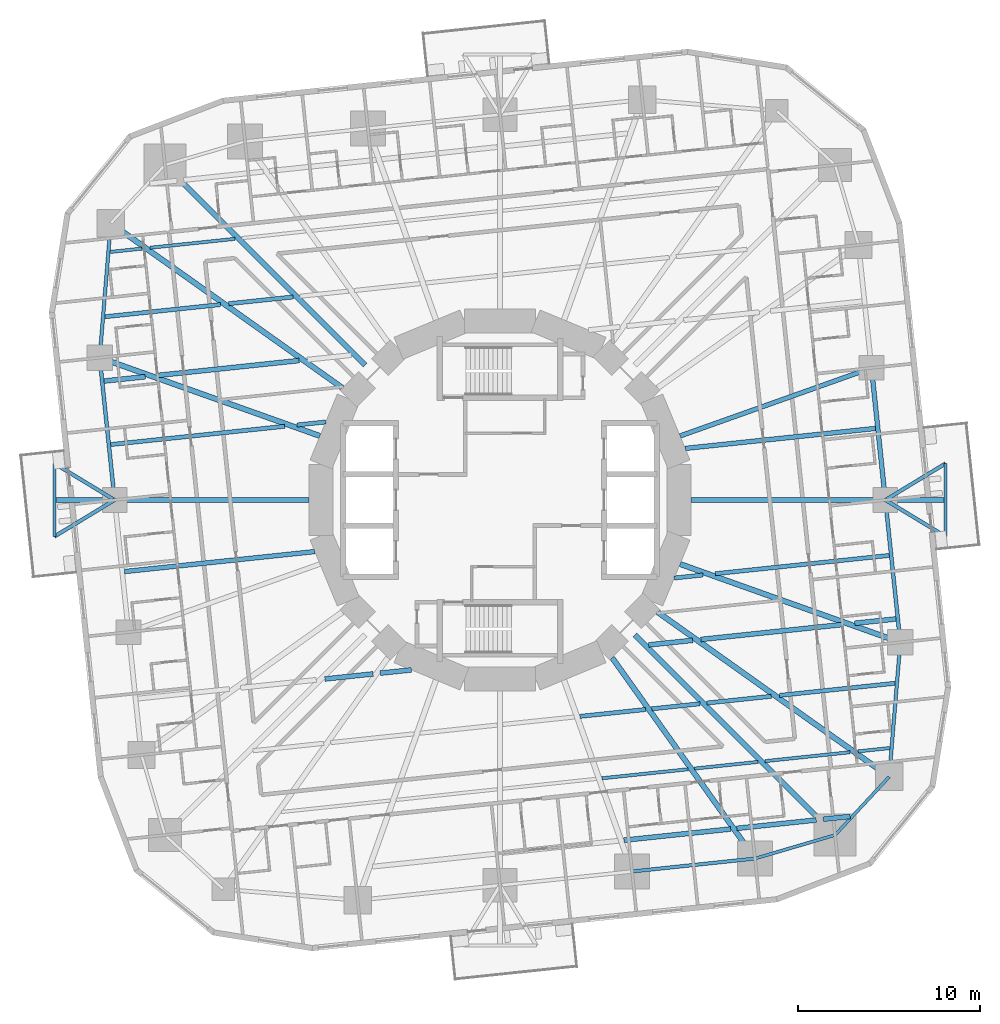
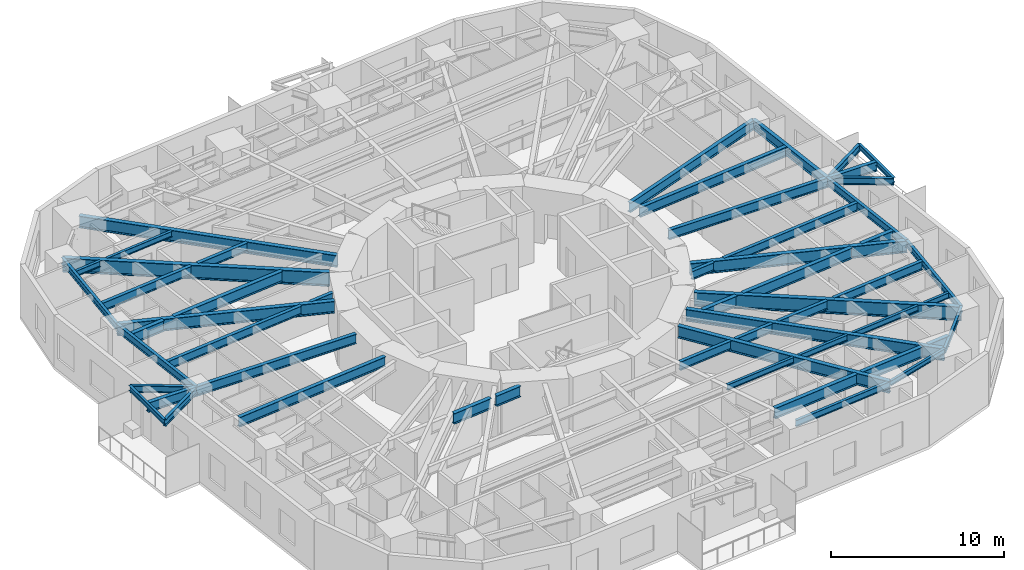
# One storey, part 2 of 15: 52 beams.
"""IFC4 building model written with IfcOpenShell, lengths in metres."""

from ifc_helpers import new_model, si_unit, direction, frame, origin, origin_2d, place, context, subcontext, project, spatial, i_section, extrude, material, material_profile, profile_set, type_object, element, save


model = new_model("IFC4")

# Units and contexts
model_context = context("Model", 3, precision=1e-05, world=origin(), true_north=direction((0.0, 1.0)))
body_context = subcontext(model_context, "Body", "Model", "MODEL_VIEW")
ifc_project = project(units=[si_unit("LENGTHUNIT", "METRE"), si_unit("AREAUNIT", "SQUARE_METRE"), si_unit("VOLUMEUNIT", "CUBIC_METRE"), si_unit("PLANEANGLEUNIT", "RADIAN"), si_unit("MASSUNIT", "GRAM", prefix="KILO")], contexts=[model_context])

# Site, building, storey
site_placement = place(None, origin())
site = spatial("IfcSite", under=ifc_project, at=site_placement, CompositionType="ELEMENT")
building_placement = place(site_placement, origin())
building = spatial("IfcBuilding", under=site, at=building_placement, Name="Nakasero Lantern House", CompositionType="ELEMENT")
storey_placement = place(building_placement, frame((0.0, 0.0, 64.35009765625)))
storey = spatial("IfcBuildingStorey", under=building, at=storey_placement, Name="L15", CompositionType="ELEMENT", Elevation=64.35009765625)

# Beams
ifc_material_1 = material(Name="Steel S355", Category="steel")
ifc_material_profile_1 = material_profile(ifc_material_1, i_section(OverallWidth=0.199462890625, OverallDepth=0.491943359375, WebThickness=0.01806640625, FlangeThickness=0.031982421875, FilletRadius=0.01025390625, at=origin_2d()), Name="UB 457x191x161")
ifc_profile_set_1 = profile_set([ifc_material_profile_1], Name="Steel S355")
beam_type_1 = type_object("IfcBeamType", Name="Balcony splay beam UB 457x191x161", PredefinedType="BEAM", material=ifc_profile_set_1)
for number, where, z_axis, x_axis, name in (
    (1, (21.11572265625, 0.0, 3.40380859375), (0.855201230787, 0.518296107317, 0.0), (-0.518296107317, 0.855201230787, 0.0), "Balcony splay beam L16 B2-C03A"),
    (2, (21.11572265625, 0.0, 3.40380859375), (0.855201230787, -0.518296107317, 0.0), (0.518296107317, 0.855201230787, 0.0), "Balcony splay beam L16 B2-C03B"),
    (3, (-21.11572265625, 0.0, 3.40380859375), (-0.855201230787, -0.518296107317, 0.0), (0.518296107317, -0.855201230787, 0.0), "Balcony splay beam L16 B2-C15A"),
    (4, (-21.11572265625, 0.0, 3.40380859375), (-0.855201230787, 0.518296107317, 0.0), (-0.518296107317, -0.855201230787, 0.0), "Balcony splay beam L16 B2-C15B"),
):
    element("IfcBeam", number, at=place(storey_placement, frame(where, z_axis=z_axis, x_axis=x_axis)), inside=storey, type_object=beam_type_1, Name=name, PredefinedType="BEAM", context=body_context, shape_type="SweptSolid", body=[
        extrude(i_section(OverallWidth=0.199462890625, OverallDepth=0.491943359375, WebThickness=0.01806640625, FlangeThickness=0.031982421875, FilletRadius=0.01025390625, at=origin_2d()), origin(), (0.0, 0.0, 1.0), 3.85888671875),
    ])
ifc_material_2 = material(Name="Steel S355", Category="steel")
ifc_material_profile_2 = material_profile(ifc_material_2, i_section(OverallWidth=0.17138671875, OverallDepth=0.35498046875, WebThickness=0.00732421875, FlangeThickness=0.011474609375, FilletRadius=0.01025390625, at=origin_2d()), Name="UB 356x171x51")
ifc_profile_set_2 = profile_set([ifc_material_profile_2], Name="Steel S355")
beam_type_2 = type_object("IfcBeamType", Name="Balcony tie beam UB 356x171x51", PredefinedType="BEAM", material=ifc_profile_set_2)
for number, where, z_axis, x_axis, name in (
    (5, (24.415771484375, 2.0, 3.472412109375), (0.0, -1.0, 0.0), (1.0, 0.0, 0.0), "Balcony tie beam L16 B2-C03"),
    (6, (-24.415771484375, -2.0, 3.472412109375), (0.0, 1.0, 0.0), (-1.0, 0.0, 0.0), "Balcony tie beam L16 B2-C15"),
):
    element("IfcBeam", number, at=place(storey_placement, frame(where, z_axis=z_axis, x_axis=x_axis)), inside=storey, type_object=beam_type_2, Name=name, PredefinedType="BEAM", context=body_context, shape_type="SweptSolid", body=[
        extrude(i_section(OverallWidth=0.17138671875, OverallDepth=0.35498046875, WebThickness=0.00732421875, FlangeThickness=0.011474609375, FilletRadius=0.01025390625, at=origin_2d()), origin(), (0.0, 0.0, 1.0), 4.0),
    ])
ifc_material_3 = material(Name="Steel S355", Category="steel")
ifc_material_profile_3 = material_profile(ifc_material_3, i_section(OverallWidth=0.177978515625, OverallDepth=0.406494140625, WebThickness=0.0078125, FlangeThickness=0.0126953125, FilletRadius=0.01025390625, at=origin_2d()), Name="UB 406x178x60")
ifc_profile_set_3 = profile_set([ifc_material_profile_3], Name="Steel S355")
beam_type_3 = type_object("IfcBeamType", Name="Infill beam UB 406x178x60", PredefinedType="JOIST", material=ifc_profile_set_3)
beam_1_placement = place(storey_placement, frame((5.58154296875, -15.25, 3.44677734375), z_axis=(0.994523439889, 0.104513767091, 0.0), x_axis=(-0.104513767091, 0.994523439889, 0.0)))
element("IfcBeam", 7, at=beam_1_placement, inside=storey, type_object=beam_type_3, Name="Infill beam L16 03.4", PredefinedType="JOIST", context=body_context, shape_type="SweptSolid", body=[
    extrude(i_section(OverallWidth=0.177978515625, OverallDepth=0.406494140625, WebThickness=0.0078125, FlangeThickness=0.0126953125, FilletRadius=0.01025390625, at=origin_2d()), origin(), (0.0, 0.0, 1.0), 4.756103515625),
])
beam_2_placement = place(storey_placement, frame((10.6455078125, -14.7177734375, 3.44677734375), z_axis=(0.994521415391, 0.104533029842, 0.0), x_axis=(-0.104533029842, 0.994521415391, 0.0)))
element("IfcBeam", 8, at=beam_2_placement, inside=storey, type_object=beam_type_3, Name="Infill beam L16 03.5", PredefinedType="JOIST", context=body_context, shape_type="SweptSolid", body=[
    extrude(i_section(OverallWidth=0.177978515625, OverallDepth=0.406494140625, WebThickness=0.0078125, FlangeThickness=0.0126953125, FilletRadius=0.01025390625, at=origin_2d()), origin(), (0.0, 0.0, 1.0), 3.517333984375),
])
beam_3_placement = place(storey_placement, frame((14.517578125, -14.310791015625, 3.44677734375), z_axis=(0.994522000641, 0.104527461662, 0.0), x_axis=(-0.104527461662, 0.994522000641, 0.0)))
element("IfcBeam", 9, at=beam_3_placement, inside=storey, type_object=beam_type_3, Name="Infill beam L16 03.6", PredefinedType="JOIST", context=body_context, shape_type="SweptSolid", body=[
    extrude(i_section(OverallWidth=0.177978515625, OverallDepth=0.406494140625, WebThickness=0.0078125, FlangeThickness=0.0126953125, FilletRadius=0.01025390625, at=origin_2d()), origin(), (0.0, 0.0, 1.0), 4.685302734375),
])
for number, where, z_axis, x_axis, name in (
    (10, (19.628173828125, -13.773681640625, 3.44677734375), (0.994526919783, 0.1044806481, 0.0), (-0.1044806481, 0.994526919783, 0.0), "Infill beam L16 03.7"),
    (11, (-21.36181640625, 13.591552734375, 3.44677734375), (0.994526919783, 0.1044806481, 0.0), (-0.1044806481, 0.994526919783, 0.0), "Infill beam L16 12.1"),
):
    element("IfcBeam", number, at=place(storey_placement, frame(where, z_axis=z_axis, x_axis=x_axis)), inside=storey, type_object=beam_type_3, Name=name, PredefinedType="JOIST", context=body_context, shape_type="SweptSolid", body=[
        extrude(i_section(OverallWidth=0.177978515625, OverallDepth=0.406494140625, WebThickness=0.0078125, FlangeThickness=0.0126953125, FilletRadius=0.01025390625, at=origin_2d()), origin(), (0.0, 0.0, 1.0), 1.7431640625),
    ])
beam_4_placement = place(storey_placement, frame((-19.17724609375, 13.821044921875, 3.44677734375), z_axis=(0.994522000641, 0.104527461662, 0.0), x_axis=(-0.104527461662, 0.994522000641, 0.0)))
element("IfcBeam", 12, at=beam_4_placement, inside=storey, type_object=beam_type_3, Name="Infill beam L16 12.2", PredefinedType="JOIST", context=body_context, shape_type="SweptSolid", body=[
    extrude(i_section(OverallWidth=0.177978515625, OverallDepth=0.406494140625, WebThickness=0.0078125, FlangeThickness=0.0126953125, FilletRadius=0.01025390625, at=origin_2d()), origin(), (0.0, 0.0, 1.0), 4.685302734375),
])
ifc_material_4 = material(Name="Steel S355", Category="steel")
ifc_material_profile_4 = material_profile(ifc_material_4, i_section(OverallWidth=0.2275390625, OverallDepth=0.6025390625, WebThickness=0.010498046875, FlangeThickness=0.014892578125, FilletRadius=0.0126953125, at=origin_2d()), Name="UB 610x229x101")
ifc_profile_set_4 = profile_set([ifc_material_profile_4], Name="Steel S355")
beam_type_4 = type_object("IfcBeamType", Name="Infill beam UB 610x229x101", PredefinedType="JOIST", material=ifc_profile_set_4)
beam_5_placement = place(storey_placement, frame((9.548583984375, -4.275390625, 3.3486328125), z_axis=(0.99451559139, 0.104588424223, 0.0), x_axis=(-0.104588424223, 0.99451559139, 0.0)))
element("IfcBeam", 13, at=beam_5_placement, inside=storey, type_object=beam_type_4, Name="Infill beam L16 06.1", PredefinedType="JOIST", context=body_context, shape_type="SweptSolid", body=[
    extrude(i_section(OverallWidth=0.2275390625, OverallDepth=0.6025390625, WebThickness=0.010498046875, FlangeThickness=0.014892578125, FilletRadius=0.0126953125, at=origin_2d()), origin(), (0.0, 0.0, 1.0), 1.582763671875),
])
for number, where, z_axis, x_axis, name in (
    (14, (11.79638671875, -4.0390625, 3.3486328125), (0.994521908804, 0.104528335435, 0.0), (-0.104528335435, 0.994521908804, 0.0), "Infill beam L16 06.2"),
    (15, (-21.329345703125, 3.037109375, 3.3486328125), (0.994521908804, 0.104528335435, 0.0), (-0.104528335435, 0.994521908804, 0.0), "Infill beam L16 09.1"),
):
    element("IfcBeam", number, at=place(storey_placement, frame(where, z_axis=z_axis, x_axis=x_axis)), inside=storey, type_object=beam_type_4, Name=name, PredefinedType="JOIST", context=body_context, shape_type="SweptSolid", body=[
        extrude(i_section(OverallWidth=0.2275390625, OverallDepth=0.6025390625, WebThickness=0.010498046875, FlangeThickness=0.014892578125, FilletRadius=0.0126953125, at=origin_2d()), origin(), (0.0, 0.0, 1.0), 9.58544921875),
    ])
beam_6_placement = place(storey_placement, frame((-11.12255859375, 4.10986328125, 3.3486328125), z_axis=(0.99451559139, 0.104588424223, 0.0), x_axis=(-0.104588424223, 0.99451559139, 0.0)))
element("IfcBeam", 16, at=beam_6_placement, inside=storey, type_object=beam_type_4, Name="Infill beam L16 09.2", PredefinedType="JOIST", context=body_context, shape_type="SweptSolid", body=[
    extrude(i_section(OverallWidth=0.2275390625, OverallDepth=0.6025390625, WebThickness=0.010498046875, FlangeThickness=0.014892578125, FilletRadius=0.0126953125, at=origin_2d()), origin(), (0.0, 0.0, 1.0), 1.582763671875),
])
ifc_material_5 = material(Name="Steel S355", Category="steel")
ifc_material_profile_5 = material_profile(ifc_material_5, i_section(OverallWidth=0.22900390625, OverallDepth=0.6123046875, WebThickness=0.011962890625, FlangeThickness=0.01953125, FilletRadius=0.0126953125, at=origin_2d()), Name="UB 610x229x125")
ifc_profile_set_5 = profile_set([ifc_material_profile_5], Name="Steel S355")
beam_type_5 = type_object("IfcBeamType", Name="Infill beam UB 610x229x125", PredefinedType="JOIST", material=ifc_profile_set_5)
beam_7_placement = place(storey_placement, frame((4.375244140625, -11.857666015625, 3.34375), z_axis=(0.994523507044, 0.104513128058, 0.0), x_axis=(-0.104513128058, 0.994523507044, 0.0)))
element("IfcBeam", 17, at=beam_7_placement, inside=storey, type_object=beam_type_5, Name="Infill beam L16 04.5", PredefinedType="JOIST", context=body_context, shape_type="SweptSolid", body=[
    extrude(i_section(OverallWidth=0.22900390625, OverallDepth=0.6123046875, WebThickness=0.011962890625, FlangeThickness=0.01953125, FilletRadius=0.0126953125, at=origin_2d()), origin(), (0.0, 0.0, 1.0), 3.627685546875),
])
beam_8_placement = place(storey_placement, frame((8.31689453125, -11.443359375, 3.34375), z_axis=(0.994526079282, 0.104488648322, 0.0), x_axis=(-0.104488648322, 0.994526079282, 0.0)))
element("IfcBeam", 18, at=beam_8_placement, inside=storey, type_object=beam_type_5, Name="Infill beam L16 04.6", PredefinedType="JOIST", context=body_context, shape_type="SweptSolid", body=[
    extrude(i_section(OverallWidth=0.22900390625, OverallDepth=0.6123046875, WebThickness=0.011962890625, FlangeThickness=0.01953125, FilletRadius=0.0126953125, at=origin_2d()), origin(), (0.0, 0.0, 1.0), 2.65673828125),
])
beam_9_placement = place(storey_placement, frame((11.3330078125, -11.126220703125, 3.34375), z_axis=(0.99452727583, 0.104477258916, 0.0), x_axis=(-0.104477258916, 0.99452727583, 0.0)))
element("IfcBeam", 19, at=beam_9_placement, inside=storey, type_object=beam_type_5, Name="Infill beam L16 04.7", PredefinedType="JOIST", context=body_context, shape_type="SweptSolid", body=[
    extrude(i_section(OverallWidth=0.22900390625, OverallDepth=0.6123046875, WebThickness=0.011962890625, FlangeThickness=0.01953125, FilletRadius=0.0126953125, at=origin_2d()), origin(), (0.0, 0.0, 1.0), 3.552001953125),
])
for number, where, z_axis, x_axis, name in (
    (20, (15.31640625, -10.707763671875, 3.34375), (0.994520346325, 0.104543200382, 0.0), (-0.104543200382, 0.994520346325, 0.0), "Infill beam L16 04.8"),
    (21, (-21.654541015625, 10.04150390625, 3.34375), (0.994520346325, 0.104543200382, 0.0), (-0.104543200382, 0.994520346325, 0.0), "Infill beam L16 11.1"),
):
    element("IfcBeam", number, at=place(storey_placement, frame(where, z_axis=z_axis, x_axis=x_axis)), inside=storey, type_object=beam_type_5, Name=name, PredefinedType="JOIST", context=body_context, shape_type="SweptSolid", body=[
        extrude(i_section(OverallWidth=0.22900390625, OverallDepth=0.6123046875, WebThickness=0.011962890625, FlangeThickness=0.01953125, FilletRadius=0.0126953125, at=origin_2d()), origin(), (0.0, 0.0, 1.0), 6.373046875),
    ])
beam_10_placement = place(storey_placement, frame((-14.865478515625, 10.755126953125, 3.34375), z_axis=(0.99452727583, 0.104477258916, 0.0), x_axis=(-0.104477258916, 0.99452727583, 0.0)))
element("IfcBeam", 22, at=beam_10_placement, inside=storey, type_object=beam_type_5, Name="Infill beam L16 11.2", PredefinedType="JOIST", context=body_context, shape_type="SweptSolid", body=[
    extrude(i_section(OverallWidth=0.22900390625, OverallDepth=0.6123046875, WebThickness=0.011962890625, FlangeThickness=0.01953125, FilletRadius=0.0126953125, at=origin_2d()), origin(), (0.0, 0.0, 1.0), 3.552001953125),
])
ifc_material_6 = material(Name="Steel S355", Category="steel")
ifc_material_profile_6 = material_profile(ifc_material_6, i_section(OverallWidth=0.255859375, OverallDepth=0.69287109375, WebThickness=0.014404296875, FlangeThickness=0.023681640625, FilletRadius=0.01513671875, at=origin_2d()), Name="UB 686x254x170")
ifc_profile_set_6 = profile_set([ifc_material_profile_6], Name="Steel S355")
beam_type_6 = type_object("IfcBeamType", Name="Infill beam UB 686x254x170", PredefinedType="JOIST", material=ifc_profile_set_6)
for number, where, z_axis, x_axis, name in (
    (23, (-20.575927734375, -3.92236328125, 3.303466796875), (0.994521899939, 0.104528419781, 0.0), (-0.104528419781, 0.994521899939, 0.0), "Infill beam L16 07.1"),
    (24, (10.148681640625, 2.826416015625, 3.303466796875), (0.994521899939, 0.104528419781, 0.0), (-0.104528419781, 0.994521899939, 0.0), "Infill beam L16 08.1"),
):
    element("IfcBeam", number, at=place(storey_placement, frame(where, z_axis=z_axis, x_axis=x_axis)), inside=storey, type_object=beam_type_6, Name=name, PredefinedType="JOIST", context=body_context, shape_type="SweptSolid", body=[
        extrude(i_section(OverallWidth=0.255859375, OverallDepth=0.69287109375, WebThickness=0.014404296875, FlangeThickness=0.023681640625, FilletRadius=0.01513671875, at=origin_2d()), origin(), (0.0, 0.0, 1.0), 10.484619140625),
    ])
ifc_material_7 = material(Name="Steel S355", Category="steel")
ifc_material_profile_7 = material_profile(ifc_material_7, i_section(OverallWidth=0.2666015625, OverallDepth=0.76220703125, WebThickness=0.014404296875, FlangeThickness=0.021484375, FilletRadius=0.0166015625, at=origin_2d()), Name="UB 762x267x173")
ifc_profile_set_7 = profile_set([ifc_material_profile_7], Name="Steel S355")
beam_type_7 = type_object("IfcBeamType", Name="Infill beam UB 762x267x173", PredefinedType="JOIST", material=ifc_profile_set_7)
beam_11_placement = place(storey_placement, frame((6.78759765625, -18.642578125, 3.268798828125), z_axis=(0.994524304789, 0.104505536616, 0.0), x_axis=(-0.104505536616, 0.994524304789, 0.0)))
element("IfcBeam", 25, at=beam_11_placement, inside=storey, type_object=beam_type_7, Name="Infill beam L16 02.3", PredefinedType="JOIST", context=body_context, shape_type="SweptSolid", body=[
    extrude(i_section(OverallWidth=0.2666015625, OverallDepth=0.76220703125, WebThickness=0.014404296875, FlangeThickness=0.021484375, FilletRadius=0.0166015625, at=origin_2d()), origin(), (0.0, 0.0, 1.0), 5.884765625),
])
beam_12_placement = place(storey_placement, frame((12.97412109375, -17.992431640625, 3.268798828125), z_axis=(0.994518584312, 0.104559961062, 0.0), x_axis=(-0.104559961062, 0.994518584312, 0.0)))
element("IfcBeam", 26, at=beam_12_placement, inside=storey, type_object=beam_type_7, Name="Infill beam L16 02.4", PredefinedType="JOIST", context=body_context, shape_type="SweptSolid", body=[
    extrude(i_section(OverallWidth=0.2666015625, OverallDepth=0.76220703125, WebThickness=0.014404296875, FlangeThickness=0.021484375, FilletRadius=0.0166015625, at=origin_2d()), origin(), (0.0, 0.0, 1.0), 4.3779296875),
])
beam_13_placement = place(storey_placement, frame((17.7021484375, -17.495361328125, 3.268798828125), z_axis=(0.994535800288, 0.104396082038, 0.0), x_axis=(-0.104396082038, 0.994535800288, 0.0)))
element("IfcBeam", 27, at=beam_13_placement, inside=storey, type_object=beam_type_7, Name="Infill beam L16 02.5", PredefinedType="JOIST", context=body_context, shape_type="SweptSolid", body=[
    extrude(i_section(OverallWidth=0.2666015625, OverallDepth=0.76220703125, WebThickness=0.014404296875, FlangeThickness=0.021484375, FilletRadius=0.0166015625, at=origin_2d()), origin(), (0.0, 0.0, 1.0), 1.49658203125),
])
beam_14_placement = place(storey_placement, frame((-9.594482421875, -9.806640625, 3.268798828125), z_axis=(0.994521575627, 0.104531505358, 0.0), x_axis=(-0.104531505358, 0.994521575627, 0.0)))
element("IfcBeam", 28, at=beam_14_placement, inside=storey, type_object=beam_type_7, Name="Infill beam L16 05.3", PredefinedType="JOIST", context=body_context, shape_type="SweptSolid", body=[
    extrude(i_section(OverallWidth=0.2666015625, OverallDepth=0.76220703125, WebThickness=0.014404296875, FlangeThickness=0.021484375, FilletRadius=0.0166015625, at=origin_2d()), origin(), (0.0, 0.0, 1.0), 2.6533203125),
])
beam_15_placement = place(storey_placement, frame((-6.568115234375, -9.488525390625, 3.268798828125), z_axis=(0.994529501552, 0.104456069922, 0.0), x_axis=(-0.104456069922, 0.994529501552, 0.0)))
element("IfcBeam", 29, at=beam_15_placement, inside=storey, type_object=beam_type_7, Name="Infill beam L16 05.4", PredefinedType="JOIST", context=body_context, shape_type="SweptSolid", body=[
    extrude(i_section(OverallWidth=0.2666015625, OverallDepth=0.76220703125, WebThickness=0.014404296875, FlangeThickness=0.021484375, FilletRadius=0.0166015625, at=origin_2d()), origin(), (0.0, 0.0, 1.0), 1.72265625),
])
beam_16_placement = place(storey_placement, frame((8.1484375, -7.941650390625, 3.268798828125), z_axis=(0.99452700398, 0.104479846642, 0.0), x_axis=(-0.104479846642, 0.99452700398, 0.0)))
element("IfcBeam", 30, at=beam_16_placement, inside=storey, type_object=beam_type_7, Name="Infill beam L16 05.5", PredefinedType="JOIST", context=body_context, shape_type="SweptSolid", body=[
    extrude(i_section(OverallWidth=0.2666015625, OverallDepth=0.76220703125, WebThickness=0.014404296875, FlangeThickness=0.021484375, FilletRadius=0.0166015625, at=origin_2d()), origin(), (0.0, 0.0, 1.0), 2.41845703125),
])
beam_17_placement = place(storey_placement, frame((11.0048828125, -7.6416015625, 3.268798828125), z_axis=(0.994520535103, 0.104541404521, 0.0), x_axis=(-0.104541404521, 0.994520535103, 0.0)))
element("IfcBeam", 31, at=beam_17_placement, inside=storey, type_object=beam_type_7, Name="Infill beam L16 05.6", PredefinedType="JOIST", context=body_context, shape_type="SweptSolid", body=[
    extrude(i_section(OverallWidth=0.2666015625, OverallDepth=0.76220703125, WebThickness=0.014404296875, FlangeThickness=0.021484375, FilletRadius=0.0166015625, at=origin_2d()), origin(), (0.0, 0.0, 1.0), 7.800048828125),
])
for number, where, z_axis, x_axis, name in (
    (32, (19.43603515625, -6.75537109375, 3.268798828125), (0.994516636986, 0.104578481334, 0.0), (-0.104578481334, 0.994516636986, 0.0), "Infill beam L16 05.7"),
    (33, (-21.695068359375, 6.517822265625, 3.268798828125), (0.994516636986, 0.104578481334, 0.0), (-0.104578481334, 0.994516636986, 0.0), "Infill beam L16 10.1"),
):
    element("IfcBeam", number, at=place(storey_placement, frame(where, z_axis=z_axis, x_axis=x_axis)), inside=storey, type_object=beam_type_7, Name=name, PredefinedType="JOIST", context=body_context, shape_type="SweptSolid", body=[
        extrude(i_section(OverallWidth=0.2666015625, OverallDepth=0.76220703125, WebThickness=0.014404296875, FlangeThickness=0.021484375, FilletRadius=0.0166015625, at=origin_2d()), origin(), (0.0, 0.0, 1.0), 2.271484375),
    ])
beam_18_placement = place(storey_placement, frame((-18.76220703125, 6.826171875, 3.268798828125), z_axis=(0.994520535103, 0.104541404521, 0.0), x_axis=(-0.104541404521, 0.994520535103, 0.0)))
element("IfcBeam", 34, at=beam_18_placement, inside=storey, type_object=beam_type_7, Name="Infill beam L16 10.2", PredefinedType="JOIST", context=body_context, shape_type="SweptSolid", body=[
    extrude(i_section(OverallWidth=0.2666015625, OverallDepth=0.76220703125, WebThickness=0.014404296875, FlangeThickness=0.021484375, FilletRadius=0.0166015625, at=origin_2d()), origin(), (0.0, 0.0, 1.0), 7.800048828125),
])
ifc_material_8 = material(Name="Steel S355", Category="steel")
ifc_material_profile_8 = material_profile(ifc_material_8, i_section(OverallWidth=0.300048828125, OverallDepth=0.989990234375, WebThickness=0.0166015625, FlangeThickness=0.031005859375, FilletRadius=0.030029296875, at=origin_2d()), Name="UB 1016x305x272")
ifc_profile_set_8 = profile_set([ifc_material_profile_8], Name="Steel S355")
beam_type_8 = type_object("IfcBeamType", Name="Primary beam UB 1016x305x272, span over 15 m", PredefinedType="BEAM", material=ifc_profile_set_8)
for number, where, z_axis, x_axis, name in (
    (35, (21.327880859375, -15.16650390625, 3.15478515625), (-0.814951538239, 0.57952911085, 0.0), (-0.57952911085, -0.814951538239, 0.0), "Primary beam L16 B2-C01"),
    (36, (-21.327880859375, 15.16650390625, 3.15478515625), (0.814951538239, -0.57952911085, 0.0), (0.57952911085, 0.814951538239, 0.0), "Primary beam L16 B2-C13"),
):
    element("IfcBeam", number, at=place(storey_placement, frame(where, z_axis=z_axis, x_axis=x_axis)), inside=storey, type_object=beam_type_8, Name=name, PredefinedType="BEAM", context=body_context, shape_type="SweptSolid", body=[
        extrude(i_section(OverallWidth=0.300048828125, OverallDepth=0.989990234375, WebThickness=0.0166015625, FlangeThickness=0.031005859375, FilletRadius=0.030029296875, at=origin_2d()), origin(), (0.0, 0.0, 1.0), 15.564697265625),
    ])
ifc_material_9 = material(Name="Steel S355", Category="steel")
ifc_material_profile_9 = material_profile(ifc_material_9, i_section(OverallWidth=0.253662109375, OverallDepth=0.68359375, WebThickness=0.012451171875, FlangeThickness=0.01904296875, FilletRadius=0.01513671875, at=origin_2d()), Name="UB 686x254x140")
ifc_profile_set_9 = profile_set([ifc_material_profile_9], Name="Steel S355")
beam_type_9 = type_object("IfcBeamType", Name="Primary beam UB 686x254x140, span 9 to 12 m", PredefinedType="BEAM", material=ifc_profile_set_9)
beam_19_placement = place(storey_placement, frame((24.415771484375, 0.0, 3.30810546875), z_axis=(-1.0, 0.0, 0.0), x_axis=(0.0, -1.0, 0.0)))
element("IfcBeam", 37, at=beam_19_placement, inside=storey, type_object=beam_type_9, Name="Primary beam L16 B2-C03", PredefinedType="BEAM", context=body_context, shape_type="SweptSolid", body=[
    extrude(i_section(OverallWidth=0.253662109375, OverallDepth=0.68359375, WebThickness=0.012451171875, FlangeThickness=0.01904296875, FilletRadius=0.01513671875, at=origin_2d()), origin(), (0.0, 0.0, 1.0), 13.9580078125),
])
beam_20_placement = place(storey_placement, frame((20.35498046875, 7.2373046875, 3.30810546875), z_axis=(-0.942214844119, -0.335009234979, 0.0), x_axis=(0.335009234979, -0.942214844119, 0.0)))
element("IfcBeam", 38, at=beam_20_placement, inside=storey, type_object=beam_type_9, Name="Primary beam L16 B2-C04", PredefinedType="BEAM", context=body_context, shape_type="SweptSolid", body=[
    extrude(i_section(OverallWidth=0.253662109375, OverallDepth=0.68359375, WebThickness=0.012451171875, FlangeThickness=0.01904296875, FilletRadius=0.01513671875, at=origin_2d()), origin(), (0.0, 0.0, 1.0), 11.1318359375),
])
beam_21_placement = place(storey_placement, frame((-24.415771484375, 0.0, 3.30810546875), z_axis=(1.0, 0.0, 0.0), x_axis=(0.0, 1.0, 0.0)))
element("IfcBeam", 39, at=beam_21_placement, inside=storey, type_object=beam_type_9, Name="Primary beam L16 B2-C15", PredefinedType="BEAM", context=body_context, shape_type="SweptSolid", body=[
    extrude(i_section(OverallWidth=0.253662109375, OverallDepth=0.68359375, WebThickness=0.012451171875, FlangeThickness=0.01904296875, FilletRadius=0.01513671875, at=origin_2d()), origin(), (0.0, 0.0, 1.0), 13.9580078125),
])
ifc_material_10 = material(Name="Steel S355", Category="steel")
ifc_material_profile_10 = material_profile(ifc_material_10, i_section(OverallWidth=0.29248046875, OverallDepth=0.8408203125, WebThickness=0.0146484375, FlangeThickness=0.02685546875, FilletRadius=0.017822265625, at=origin_2d()), Name="UB 838x292x194")
ifc_profile_set_10 = profile_set([ifc_material_profile_10], Name="Steel S355")
beam_type_10 = type_object("IfcBeamType", Name="Primary beam UB 838x292x194, span 12 to 15 m", PredefinedType="BEAM", material=ifc_profile_set_10)
for number, where, z_axis, x_axis, name in (
    (40, (21.935302734375, -7.79931640625, 3.2294921875), (-0.942211882636, 0.335017564047, 0.0), (-0.335017564047, -0.942211882636, 0.0), "Primary beam L16 B2-C02"),
    (41, (-21.935302734375, 7.79931640625, 3.2294921875), (0.942211882636, -0.335017564047, 0.0), (0.335017564047, 0.942211882636, 0.0), "Primary beam L16 B2-C14"),
):
    element("IfcBeam", number, at=place(storey_placement, frame(where, z_axis=z_axis, x_axis=x_axis)), inside=storey, type_object=beam_type_10, Name=name, PredefinedType="BEAM", context=body_context, shape_type="SweptSolid", body=[
        extrude(i_section(OverallWidth=0.29248046875, OverallDepth=0.8408203125, WebThickness=0.0146484375, FlangeThickness=0.02685546875, FilletRadius=0.017822265625, at=origin_2d()), origin(), (0.0, 0.0, 1.0), 12.80908203125),
    ])
beam_22_placement = place(storey_placement, frame((13.971435546875, -19.647216796875, 3.2294921875), z_axis=(-0.579533393168, 0.814948492976, 0.0), x_axis=(-0.814948492976, -0.579533393168, 0.0)))
element("IfcBeam", 42, at=beam_22_placement, inside=storey, type_object=beam_type_10, Name="Primary beam L16 B2-C23", PredefinedType="BEAM", context=body_context, shape_type="SweptSolid", body=[
    extrude(i_section(OverallWidth=0.29248046875, OverallDepth=0.8408203125, WebThickness=0.0146484375, FlangeThickness=0.02685546875, FilletRadius=0.017822265625, at=origin_2d()), origin(), (0.0, 0.0, 1.0), 13.502685546875),
])
ifc_material_11 = material(Name="Steel S355", Category="steel")
ifc_material_profile_11 = material_profile(ifc_material_11, i_section(OverallWidth=0.29248046875, OverallDepth=0.8408203125, WebThickness=0.0146484375, FlangeThickness=0.02685546875, FilletRadius=0.017822265625, at=origin_2d()), Name="UB 838x292x194")
ifc_profile_set_11 = profile_set([ifc_material_profile_11], Name="Steel S355")
beam_type_11 = type_object("IfcBeamType", Name="Primary beam UB 838x292x194, span over 15 m", PredefinedType="BEAM", material=ifc_profile_set_11)
for number, where, z_axis, x_axis, name in (
    (43, (-18.359375, 18.359375, 3.2294921875), (0.707106781187, -0.707106781187, 0.0), (0.707106781187, 0.707106781187, 0.0), "Primary beam L16 B2-C12"),
    (44, (18.359375, -18.359375, 3.2294921875), (-0.707106781187, 0.707106781187, 0.0), (-0.707106781187, -0.707106781187, 0.0), "Primary beam L16 B2-C24"),
):
    element("IfcBeam", number, at=place(storey_placement, frame(where, z_axis=z_axis, x_axis=x_axis)), inside=storey, type_object=beam_type_11, Name=name, PredefinedType="BEAM", context=body_context, shape_type="SweptSolid", body=[
        extrude(i_section(OverallWidth=0.29248046875, OverallDepth=0.8408203125, WebThickness=0.0146484375, FlangeThickness=0.02685546875, FilletRadius=0.017822265625, at=origin_2d()), origin(), (0.0, 0.0, 1.0), 15.50634765625),
    ])
ifc_material_12 = material(Name="Steel S355", Category="steel")
ifc_material_profile_12 = material_profile(ifc_material_12, i_section(OverallWidth=0.17138671875, OverallDepth=0.35498046875, WebThickness=0.00732421875, FlangeThickness=0.011474609375, FilletRadius=0.01025390625, at=origin_2d()), Name="UB 356x171x51")
ifc_profile_set_12 = profile_set([ifc_material_profile_12], Name="Steel S355")
beam_type_12 = type_object("IfcBeamType", Name="Ring beam UB 356x171x51", PredefinedType="BEAM", material=ifc_profile_set_12)
beam_23_placement = place(storey_placement, frame((13.971435546875, -19.647216796875, 3.472412109375), z_axis=(0.959526865957, 0.28161710443, 0.0), x_axis=(-0.28161710443, 0.959526865957, 0.0)))
element("IfcBeam", 45, at=beam_23_placement, inside=storey, type_object=beam_type_12, Name="Ring beam L16 B2-C23", PredefinedType="BEAM", context=body_context, shape_type="SweptSolid", body=[
    extrude(i_section(OverallWidth=0.17138671875, OverallDepth=0.35498046875, WebThickness=0.00732421875, FlangeThickness=0.011474609375, FilletRadius=0.01025390625, at=origin_2d()), origin(), (0.0, 0.0, 1.0), 4.572998046875),
])
beam_24_placement = place(storey_placement, frame((18.359375, -18.359375, 3.472412109375), z_axis=(0.680906333933, 0.732370510336, 0.0), x_axis=(-0.732370510336, 0.680906333933, 0.0)))
element("IfcBeam", 46, at=beam_24_placement, inside=storey, type_object=beam_type_12, Name="Ring beam L16 B2-C24", PredefinedType="BEAM", context=body_context, shape_type="SweptSolid", body=[
    extrude(i_section(OverallWidth=0.17138671875, OverallDepth=0.35498046875, WebThickness=0.00732421875, FlangeThickness=0.011474609375, FilletRadius=0.01025390625, at=origin_2d()), origin(), (0.0, 0.0, 1.0), 4.359619140625),
])
ifc_material_13 = material(Name="Steel S355", Category="steel")
ifc_material_profile_13 = material_profile(ifc_material_13, i_section(OverallWidth=0.18994140625, OverallDepth=0.453369140625, WebThickness=0.008544921875, FlangeThickness=0.0126953125, FilletRadius=0.01025390625, at=origin_2d()), Name="UB 457x191x67")
ifc_profile_set_13 = profile_set([ifc_material_profile_13], Name="Steel S355")
beam_type_13 = type_object("IfcBeamType", Name="Ring beam UB 457x191x67", PredefinedType="BEAM", material=ifc_profile_set_13)
beam_25_placement = place(storey_placement, frame((7.2373046875, -20.35498046875, 3.423095703125), z_axis=(0.994522233155, 0.10452524939, 0.0), x_axis=(-0.10452524939, 0.994522233155, 0.0)))
element("IfcBeam", 47, at=beam_25_placement, inside=storey, type_object=beam_type_13, Name="Ring beam L16 B2-C22", PredefinedType="BEAM", context=body_context, shape_type="SweptSolid", body=[
    extrude(i_section(OverallWidth=0.18994140625, OverallDepth=0.453369140625, WebThickness=0.008544921875, FlangeThickness=0.0126953125, FilletRadius=0.01025390625, at=origin_2d()), origin(), (0.0, 0.0, 1.0), 6.771240234375),
])
ifc_material_14 = material(Name="Steel S355", Category="steel")
ifc_material_profile_14 = material_profile(ifc_material_14, i_section(OverallWidth=0.19140625, OverallDepth=0.4599609375, WebThickness=0.010009765625, FlangeThickness=0.01611328125, FilletRadius=0.01025390625, at=origin_2d()), Name="UB 457x191x82")
ifc_profile_set_14 = profile_set([ifc_material_profile_14], Name="Steel S355")
beam_type_14 = type_object("IfcBeamType", Name="Ring beam UB 457x191x82", PredefinedType="BEAM", material=ifc_profile_set_14)
for number, where, z_axis, x_axis, name in (
    (48, (21.327880859375, -15.16650390625, 3.419921875), (0.08217080574, 0.996618261264, 0.0), (-0.996618261264, 0.08217080574, 0.0), "Ring beam L16 B2-C01"),
    (49, (-21.327880859375, 15.16650390625, 3.419921875), (-0.08217080574, -0.996618261264, 0.0), (0.996618261264, -0.08217080574, 0.0), "Ring beam L16 B2-C13"),
):
    element("IfcBeam", number, at=place(storey_placement, frame(where, z_axis=z_axis, x_axis=x_axis)), inside=storey, type_object=beam_type_14, Name=name, PredefinedType="BEAM", context=body_context, shape_type="SweptSolid", body=[
        extrude(i_section(OverallWidth=0.19140625, OverallDepth=0.4599609375, WebThickness=0.010009765625, FlangeThickness=0.01611328125, FilletRadius=0.01025390625, at=origin_2d()), origin(), (0.0, 0.0, 1.0), 7.39208984375),
    ])
ifc_material_15 = material(Name="Steel S355", Category="steel")
ifc_material_profile_15 = material_profile(ifc_material_15, i_section(OverallWidth=0.2099609375, OverallDepth=0.53662109375, WebThickness=0.0107421875, FlangeThickness=0.017333984375, FilletRadius=0.0126953125, at=origin_2d()), Name="UB 533x210x101")
ifc_profile_set_15 = profile_set([ifc_material_profile_15], Name="Steel S355")
beam_type_15 = type_object("IfcBeamType", Name="Ring beam UB 533x210x101", PredefinedType="BEAM", material=ifc_profile_set_15)
for number, where, z_axis, x_axis, name in (
    (50, (21.935302734375, -7.79931640625, 3.381591796875), (-0.104508144098, 0.994524030789, 0.0), (-0.994524030789, -0.104508144098, 0.0), "Ring beam L16 B2-C02"),
    (51, (-21.935302734375, 7.79931640625, 3.381591796875), (0.104508144098, -0.994524030789, 0.0), (0.994524030789, 0.104508144098, 0.0), "Ring beam L16 B2-C14"),
):
    element("IfcBeam", number, at=place(storey_placement, frame(where, z_axis=z_axis, x_axis=x_axis)), inside=storey, type_object=beam_type_15, Name=name, PredefinedType="BEAM", context=body_context, shape_type="SweptSolid", body=[
        extrude(i_section(OverallWidth=0.2099609375, OverallDepth=0.53662109375, WebThickness=0.0107421875, FlangeThickness=0.017333984375, FilletRadius=0.0126953125, at=origin_2d()), origin(), (0.0, 0.0, 1.0), 7.84228515625),
    ])
ifc_material_16 = material(Name="Steel S355", Category="steel")
ifc_material_profile_16 = material_profile(ifc_material_16, i_section(OverallWidth=0.253662109375, OverallDepth=0.68359375, WebThickness=0.012451171875, FlangeThickness=0.01904296875, FilletRadius=0.01513671875, at=origin_2d()), Name="UB 686x254x140")
ifc_profile_set_16 = profile_set([ifc_material_profile_16], Name="Steel S355")
beam_type_16 = type_object("IfcBeamType", Name="Ring beam UB 686x254x140", PredefinedType="BEAM", material=ifc_profile_set_16)
beam_26_placement = place(storey_placement, frame((21.11572265625, 0.0, 3.30810546875), z_axis=(-0.104538087767, 0.994520883746, 0.0), x_axis=(-0.994520883746, -0.104538087767, 0.0)))
element("IfcBeam", 52, at=beam_26_placement, inside=storey, type_object=beam_type_16, Name="Ring beam L16 B2-C03", PredefinedType="BEAM", context=body_context, shape_type="SweptSolid", body=[
    extrude(i_section(OverallWidth=0.253662109375, OverallDepth=0.68359375, WebThickness=0.012451171875, FlangeThickness=0.01904296875, FilletRadius=0.01513671875, at=origin_2d()), origin(), (0.0, 0.0, 1.0), 7.277099609375),
])

save(model, "model.ifc")
